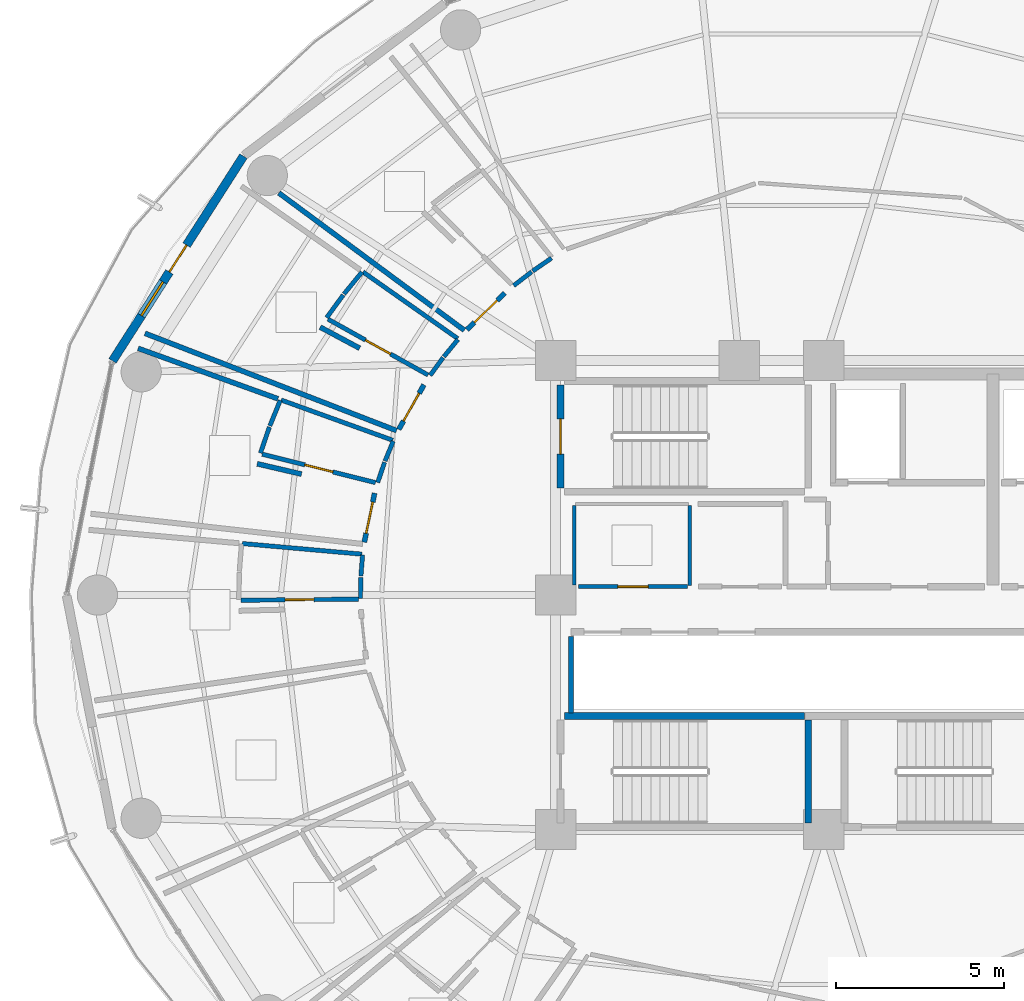
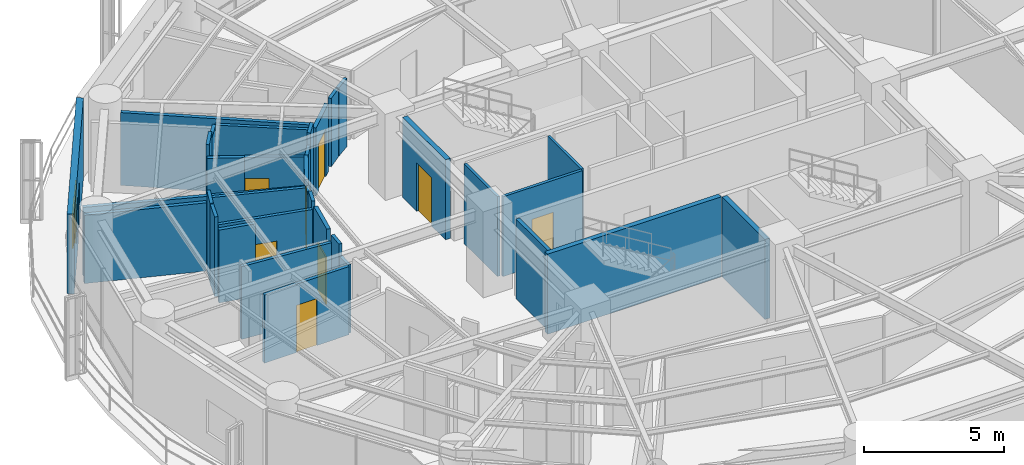
# One storey, part 22 of 28: 34 walls, 9 doors, 1 window, 10 openings.
"""IFC4 building model written with IfcOpenShell, lengths in metres."""

from ifc_helpers import new_model, si_unit, direction, frame, frame_2d, origin, place, context, subcontext, project, spatial, rectangle, extrude, material, layer, layer_set, type_object, element, fill, save


model = new_model("IFC4")

# Units and contexts
model_context = context("Model", 3, precision=1e-05, world=origin(), true_north=direction((0.0, 1.0)))
body_context = subcontext(model_context, "Body", "Model", "MODEL_VIEW")
ifc_project = project(units=[si_unit("LENGTHUNIT", "METRE"), si_unit("AREAUNIT", "SQUARE_METRE"), si_unit("VOLUMEUNIT", "CUBIC_METRE"), si_unit("PLANEANGLEUNIT", "RADIAN"), si_unit("MASSUNIT", "GRAM", prefix="KILO")], contexts=[model_context])

# Site, building, storey
site_placement = place(None, origin())
site = spatial("IfcSite", under=ifc_project, at=site_placement, CompositionType="ELEMENT")
building_placement = place(site_placement, origin())
building = spatial("IfcBuilding", under=site, at=building_placement, Name="Kelanora Arch Commons", CompositionType="ELEMENT")
storey_placement = place(building_placement, frame((0.0, 0.0, 176.85009765625)))
storey = spatial("IfcBuildingStorey", under=building, at=storey_placement, Name="L45", CompositionType="ELEMENT", Elevation=176.85009765625)

# Wall
ifc_material_1 = material(Name="Autoclaved aerated concrete blockwork with fire plaster", Category="masonry")
ifc_layer_1 = layer(ifc_material_1, 0.14990234375)
ifc_layer_set_1 = layer_set([ifc_layer_1], Name="Autoclaved aerated concrete blockwork with fire plaster")
wall_type_1 = type_object("IfcWallType", Name="W-COMP-150", PredefinedType="PARTITIONING", material=ifc_layer_set_1)
wall_1_placement = place(storey_placement, frame((66.4599609375, 54.47998046875, 0.0), z_axis=(0.0, 0.0, 1.0), x_axis=(0.0, 1.0, 0.0)))
element("IfcWall", 1, at=wall_1_placement, inside=storey, type_object=wall_type_1, Name="South Lift Bank West Wall L45", PredefinedType="PARTITIONING", context=body_context, shape_type="SweptSolid", body=[
    extrude(rectangle(XDim=2.2900390625, YDim=0.14990234375, at=frame_2d((1.14501953125, 0.0))), origin(), (0.0, 0.0, 1.0), 3.47998046875),
])

# Wall, opening, door
wall_2_placement = place(storey_placement, frame((64.481689453125, 67.013427734375, 0.0), z_axis=(0.0, 0.0, 1.0), x_axis=(-0.720543985977, -0.693409232901, 0.0)))
wall_2 = element("IfcWall", 2, at=wall_2_placement, inside=storey, type_object=wall_type_1, Name="Cluster Bedroom L45-01 Entry Partition", PredefinedType="PARTITIONING", context=body_context, shape_type="SweptSolid", body=[
    extrude(rectangle(XDim=1.574462890625, YDim=0.14990234375, at=frame_2d((0.787109375, 0.0))), origin(), (0.0, 0.0, 1.0), 2.974853515625),
])
opening_1_placement = place(wall_2_placement, frame((0.31201171875, 0.0, 0.0)))
opening_1 = element("IfcOpeningElement", 3, at=opening_1_placement, cuts=wall_2, Name="Opening D-CLU1", PredefinedType="OPENING", context=body_context, shape_type="SweptSolid", body=[
    extrude(rectangle(XDim=0.949951171875, YDim=2.080078125, at=frame_2d((0.47509765625, 1.0400390625))), frame((0.0, 0.0849609375, 0.0), z_axis=(0.0, -1.0, 0.0), x_axis=(1.0, 0.0, 0.0)), (0.0, 0.0, 1.0), 0.169921875),
])
ifc_material_2 = material(Name="Solid-core acoustic timber cluster entry fire door", Category="wood")
door_type_1 = type_object("IfcDoorType", Name="D-CLU-95", OperationType="NOTDEFINED", PredefinedType="DOOR", material=ifc_material_2)
door_1_placement = place(opening_1_placement, origin())
door_1 = element("IfcDoor", 4, at=door_1_placement, inside=storey, type_object=door_type_1, Name="Cluster Bedroom L45-01 Door", OperationType="SINGLE_SWING_LEFT", OverallHeight=2.080078125, OverallWidth=0.949951171875, PredefinedType="DOOR", context=body_context, shape_type="SweptSolid", body=[
    extrude(rectangle(XDim=0.949951171875, YDim=2.080078125, at=frame_2d((0.47509765625, 1.0400390625))), frame((0.0, 0.02490234375, 0.0), z_axis=(0.0, -1.0, 0.0), x_axis=(1.0, 0.0, 0.0)), (0.0, 0.0, 1.0), 0.050048828125),
])
fill(opening_1, door_1)

wall_3_placement = place(storey_placement, frame((62.06640625, 64.27490234375, 0.0), z_axis=(0.0, 0.0, 1.0), x_axis=(-0.491582624537, -0.870830938388, 0.0)))
wall_3 = element("IfcWall", 5, at=wall_3_placement, inside=storey, type_object=wall_type_1, Name="Cluster Bedroom L45-02 Entry Partition", PredefinedType="PARTITIONING", context=body_context, shape_type="SweptSolid", body=[
    extrude(rectangle(XDim=1.525634765625, YDim=0.14990234375, at=frame_2d((0.7626953125, 0.0))), origin(), (0.0, 0.0, 1.0), 3.23486328125),
])
opening_2_placement = place(wall_3_placement, frame((0.2880859375, 0.0, 0.0)))
opening_2 = element("IfcOpeningElement", 6, at=opening_2_placement, cuts=wall_3, Name="Opening D-CLU1", PredefinedType="OPENING", context=body_context, shape_type="SweptSolid", body=[
    extrude(rectangle(XDim=0.949951171875, YDim=2.080078125, at=frame_2d((0.47509765625, 1.0400390625))), frame((0.0, 0.0849609375, 0.0), z_axis=(0.0, -1.0, 0.0), x_axis=(1.0, 0.0, 0.0)), (0.0, 0.0, 1.0), 0.169921875),
])
door_2_placement = place(opening_2_placement, origin())
door_2 = element("IfcDoor", 7, at=door_2_placement, inside=storey, type_object=door_type_1, Name="Cluster Bedroom L45-02 Door", OperationType="SINGLE_SWING_LEFT", OverallHeight=2.080078125, OverallWidth=0.949951171875, PredefinedType="DOOR", context=body_context, shape_type="SweptSolid", body=[
    extrude(rectangle(XDim=0.949951171875, YDim=2.080078125, at=frame_2d((0.47509765625, 1.0400390625))), frame((0.0, 0.02490234375, 0.0), z_axis=(0.0, -1.0, 0.0), x_axis=(1.0, 0.0, 0.0)), (0.0, 0.0, 1.0), 0.050048828125),
])
fill(opening_2, door_2)

wall_4_placement = place(storey_placement, frame((60.594482421875, 61.041259765625, 0.0), z_axis=(0.0, 0.0, 1.0), x_axis=(-0.206257580925, -0.978497731378, 0.0)))
wall_4 = element("IfcWall", 8, at=wall_4_placement, inside=storey, type_object=wall_type_1, Name="Cluster Bedroom L45-03 Entry Partition", PredefinedType="PARTITIONING", context=body_context, shape_type="SweptSolid", body=[
    extrude(rectangle(XDim=1.493896484375, YDim=0.14990234375, at=frame_2d((0.7470703125, 0.0))), origin(), (0.0, 0.0, 1.0), 3.47998046875),
])
opening_3_placement = place(wall_4_placement, frame((0.27197265625, 0.0, 0.0)))
opening_3 = element("IfcOpeningElement", 9, at=opening_3_placement, cuts=wall_4, Name="Opening D-CLU1", PredefinedType="OPENING", context=body_context, shape_type="SweptSolid", body=[
    extrude(rectangle(XDim=0.949951171875, YDim=2.080078125, at=frame_2d((0.47509765625, 1.0400390625))), frame((0.0, 0.0849609375, 0.0), z_axis=(0.0, -1.0, 0.0), x_axis=(1.0, 0.0, 0.0)), (0.0, 0.0, 1.0), 0.169921875),
])
door_3_placement = place(opening_3_placement, origin())
door_3 = element("IfcDoor", 10, at=door_3_placement, inside=storey, type_object=door_type_1, Name="Cluster Bedroom L45-03 Door", OperationType="SINGLE_SWING_LEFT", OverallHeight=2.080078125, OverallWidth=0.949951171875, PredefinedType="DOOR", context=body_context, shape_type="SweptSolid", body=[
    extrude(rectangle(XDim=0.949951171875, YDim=2.080078125, at=frame_2d((0.47509765625, 1.0400390625))), frame((0.0, 0.02490234375, 0.0), z_axis=(0.0, -1.0, 0.0), x_axis=(1.0, 0.0, 0.0)), (0.0, 0.0, 1.0), 0.050048828125),
])
fill(opening_3, door_3)

# Walls
wall_5_placement = place(storey_placement, frame((63.27197265625, 65.90380859375, 0.0), z_axis=(0.0, 0.0, 1.0), x_axis=(-0.803728632682, 0.594996037808, 0.0)))
element("IfcWall", 11, at=wall_5_placement, inside=storey, type_object=wall_type_1, Name="Cluster Bedroom L45-01 Enclosure Partition 2", PredefinedType="PARTITIONING", context=body_context, shape_type="SweptSolid", body=[
    extrude(rectangle(XDim=6.8857421875, YDim=0.14990234375, at=frame_2d((3.44287109375, 0.0))), origin(), (0.0, 0.0, 1.0), 3.1748046875),
])
wall_6_placement = place(storey_placement, frame((61.249755859375, 62.908447265625, 0.0), z_axis=(0.0, 0.0, 1.0), x_axis=(-0.932687580633, 0.360685287936, 0.0)))
element("IfcWall", 12, at=wall_6_placement, inside=storey, type_object=wall_type_1, Name="Cluster Bedroom L45-02 Enclosure Partition 2", PredefinedType="PARTITIONING", context=body_context, shape_type="SweptSolid", body=[
    extrude(rectangle(XDim=8.051513671875, YDim=0.14990234375, at=frame_2d((4.02587890625, 0.0))), origin(), (0.0, 0.0, 1.0), 2.974853515625),
])
wall_7_placement = place(storey_placement, frame((58.97119140625, 65.99609375, 0.0), z_axis=(0.0, 0.0, 1.0), x_axis=(0.882039066957, -0.471176277376, 0.0)))
element("IfcWall", 13, at=wall_7_placement, inside=storey, type_object=wall_type_1, Name="Cluster Bedroom L45-02 Enclosure Partition 7", PredefinedType="PARTITIONING", context=body_context, shape_type="SweptSolid", body=[
    extrude(rectangle(XDim=1.335693359375, YDim=0.14990234375, at=frame_2d((0.66796875, 0.0))), origin(), (0.0, 0.0, 1.0), 3.1748046875),
])
wall_8_placement = place(storey_placement, frame((53.53466796875, 65.364501953125, 0.0), z_axis=(0.0, 0.0, 1.0), x_axis=(0.940657292565, -0.339358008517, 0.0)))
element("IfcWall", 14, at=wall_8_placement, inside=storey, type_object=wall_type_1, Name="Cluster Bedroom L45-03 Enclosure Partition 5", PredefinedType="PARTITIONING", context=body_context, shape_type="SweptSolid", body=[
    extrude(rectangle(XDim=4.440185546875, YDim=0.14990234375, at=frame_2d((2.22021484375, 0.0))), origin(), (0.0, 0.0, 1.0), 2.974853515625),
])
wall_9_placement = place(storey_placement, frame((57.091064453125, 61.91796875, 0.0), z_axis=(0.0, 0.0, 1.0), x_axis=(0.973980333704, -0.226632543023, 0.0)))
element("IfcWall", 15, at=wall_9_placement, inside=storey, type_object=wall_type_1, Name="Cluster Bedroom L45-03 Enclosure Partition 7", PredefinedType="PARTITIONING", context=body_context, shape_type="SweptSolid", body=[
    extrude(rectangle(XDim=1.357421875, YDim=0.14990234375, at=frame_2d((0.6787109375, 0.0))), origin(), (0.0, 0.0, 1.0), 3.1748046875),
])

# Wall, openings, door, window
ifc_material_3 = material(Name="Precast concrete C40/50 with terracotta rainscreen", Category="masonry")
ifc_layer_2 = layer(ifc_material_3, 0.260009765625)
ifc_layer_set_2 = layer_set([ifc_layer_2], Name="Precast concrete C40/50 with terracotta rainscreen")
wall_type_2 = type_object("IfcWallType", Name="W-EXT-TC", PredefinedType="SOLIDWALL", material=ifc_layer_set_2)
wall_10_placement = place(storey_placement, frame((56.67919921875, 71.100341796875, 0.0), z_axis=(0.0, 0.0, 1.0), x_axis=(-0.538801521808, -0.842432739213, 0.0)))
wall_10 = element("IfcWall", 16, at=wall_10_placement, inside=storey, type_object=wall_type_2, Name="Terracotta Exterior Wall L45-B07", PredefinedType="SOLIDWALL", context=body_context, shape_type="SweptSolid", body=[
    extrude(rectangle(XDim=7.25341796875, YDim=0.260009765625, at=frame_2d((3.626708984375, 0.0))), origin(), (0.0, 0.0, 1.0), 3.474853515625),
])
opening_4_placement = place(wall_10_placement, frame((3.152099609375, 0.0, 0.0)))
opening_4 = element("IfcOpeningElement", 17, at=opening_4_placement, cuts=wall_10, Name="Opening DB-01", PredefinedType="OPENING", context=body_context, shape_type="SweptSolid", body=[
    extrude(rectangle(XDim=0.949951171875, YDim=2.10009765625, at=frame_2d((0.47509765625, 1.050048828125))), frame((0.0, 0.14013671875, 0.0), z_axis=(0.0, -1.0, 0.0), x_axis=(1.0, 0.0, 0.0)), (0.0, 0.0, 1.0), 0.280029296875),
])
opening_5_placement = place(wall_10_placement, frame((4.451904296875, 0.0, 0.85009765625)))
opening_5 = element("IfcOpeningElement", 18, at=opening_5_placement, cuts=wall_10, Name="Opening WN-02", PredefinedType="OPENING", context=body_context, shape_type="SweptSolid", body=[
    extrude(rectangle(XDim=1.199951171875, YDim=1.449951171875, at=frame_2d((0.60009765625, 0.72509765625))), frame((0.0, 0.14013671875, 0.0), z_axis=(0.0, -1.0, 0.0), x_axis=(1.0, 0.0, 0.0)), (0.0, 0.0, 1.0), 0.280029296875),
])
ifc_material_4 = material(Name="Terracotta-aluminium thermally broken glazed balcony door", Category="masonry")
door_type_2 = type_object("IfcDoorType", Name="D-BAL-10", OperationType="NOTDEFINED", PredefinedType="DOOR", material=ifc_material_4)
door_4_placement = place(opening_4_placement, frame((0.949951171875, 0.0, 0.0), z_axis=(0.0, 0.0, 1.0), x_axis=(-1.0, 0.0, 0.0)))
door_4 = element("IfcDoor", 19, at=door_4_placement, inside=storey, type_object=door_type_2, Name="Wave Balcony Door L45-B07", OperationType="SINGLE_SWING_LEFT", OverallHeight=2.10009765625, OverallWidth=0.949951171875, PredefinedType="DOOR", context=body_context, shape_type="SweptSolid", body=[
    extrude(rectangle(XDim=0.949951171875, YDim=2.10009765625, at=frame_2d((0.47509765625, 1.050048828125))), frame((0.0, 0.02490234375, 0.0), z_axis=(0.0, -1.0, 0.0), x_axis=(1.0, 0.0, 0.0)), (0.0, 0.0, 1.0), 0.050048828125),
])
fill(opening_4, door_4)
ifc_material_5 = material(Name="Terracotta-anodised aluminium frame with operable awning sash", Category="masonry")
window_type = type_object("IfcWindowType", Name="WIN-CL-12", PartitioningType="SINGLE_PANEL", PredefinedType="WINDOW", material=ifc_material_5)
window_placement = place(opening_5_placement, origin())
window = element("IfcWindow", 20, at=window_placement, inside=storey, type_object=window_type, Name="Co-Living Operable Window L45-B07", OverallHeight=1.449951171875, OverallWidth=1.199951171875, PartitioningType="SINGLE_PANEL", PredefinedType="WINDOW", context=body_context, shape_type="SweptSolid", body=[
    extrude(rectangle(XDim=1.199951171875, YDim=1.449951171875, at=frame_2d((0.60009765625, 0.72509765625))), frame((0.0, 0.030029296875, 0.0), z_axis=(0.0, -1.0, 0.0), x_axis=(1.0, 0.0, 0.0)), (0.0, 0.0, 1.0), 0.06005859375),
])
fill(opening_5, window)

# Walls
ifc_material_6 = material(Name="Lightweight fire-rated acoustic stud partition")
ifc_layer_3 = layer(ifc_material_6, 0.10009765625)
ifc_layer_set_3 = layer_set([ifc_layer_3], Name="Lightweight fire-rated acoustic stud partition")
wall_type_3 = type_object("IfcWallType", Name="W-PART-100", PredefinedType="PARTITIONING", material=ifc_layer_set_3)
wall_11_placement = place(storey_placement, frame((70.0, 58.2900390625, 0.0), z_axis=(0.0, 0.0, 1.0), x_axis=(0.0, 1.0, 0.0)))
element("IfcWall", 21, at=wall_11_placement, inside=storey, type_object=wall_type_3, Name="Reclaimed Core Quiet Phone Booths L45 Enclosure Partition 2", PredefinedType="PARTITIONING", context=body_context, shape_type="SweptSolid", body=[
    extrude(rectangle(XDim=2.389892578125, YDim=0.10009765625, at=frame_2d((1.19482421875, 0.0))), origin(), (0.0, 0.0, 1.0), 3.47998046875),
])
wall_12_placement = place(storey_placement, frame((66.550048828125, 60.679931640625, 0.0), z_axis=(0.0, 0.0, 1.0), x_axis=(0.0, -1.0, 0.0)))
element("IfcWall", 22, at=wall_12_placement, inside=storey, type_object=wall_type_3, Name="Reclaimed Core Quiet Phone Booths L45 Enclosure Partition 4", PredefinedType="PARTITIONING", context=body_context, shape_type="SweptSolid", body=[
    extrude(rectangle(XDim=2.383056640625, YDim=0.10009765625, at=frame_2d((1.19140625, 0.0))), origin(), (0.0, 0.0, 1.0), 3.47998046875),
])

# Wall, opening, door
ifc_material_7 = material(Name="Acoustic twin-stud fire-rated gypsum partition")
ifc_layer_4 = layer(ifc_material_7, 0.1201171875)
ifc_layer_set_4 = layer_set([ifc_layer_4], Name="Acoustic twin-stud fire-rated gypsum partition")
wall_type_4 = type_object("IfcWallType", Name="W-PART-120", PredefinedType="PARTITIONING", material=ifc_layer_set_4)
wall_13_placement = place(storey_placement, frame((66.67529296875, 58.25, 0.0), z_axis=(0.0, 0.0, 1.0), x_axis=(1.0, 0.0, 0.0)))
wall_13 = element("IfcWall", 23, at=wall_13_placement, inside=storey, type_object=wall_type_4, Name="Reclaimed Core Quiet Phone Booths L45 Entry Partition", PredefinedType="PARTITIONING", context=body_context, shape_type="SweptSolid", body=[
    extrude(rectangle(XDim=3.2646484375, YDim=0.1201171875, at=frame_2d((1.63232421875, 0.0))), origin(), (0.0, 0.0, 1.0), 3.47998046875),
])
opening_6_placement = place(wall_13_placement, frame((1.181884765625, 0.0, 0.0)))
opening_6 = element("IfcOpeningElement", 24, at=opening_6_placement, cuts=wall_13, Name="Opening D-RM1", PredefinedType="OPENING", context=body_context, shape_type="SweptSolid", body=[
    extrude(rectangle(XDim=0.89990234375, YDim=2.080078125, at=frame_2d((0.449951171875, 1.0400390625))), frame((0.0, 0.070068359375, 0.0), z_axis=(0.0, -1.0, 0.0), x_axis=(1.0, 0.0, 0.0)), (0.0, 0.0, 1.0), 0.14013671875),
])
ifc_material_8 = material(Name="Acoustic fire-rated timber study and lounge door", Category="wood")
door_type_3 = type_object("IfcDoorType", Name="D-ROOM-90", OperationType="NOTDEFINED", PredefinedType="DOOR", material=ifc_material_8)
door_5_placement = place(opening_6_placement, origin())
door_5 = element("IfcDoor", 25, at=door_5_placement, inside=storey, type_object=door_type_3, Name="Reclaimed Core Quiet Phone Booths L45 Door", OperationType="SINGLE_SWING_RIGHT", OverallHeight=2.080078125, OverallWidth=0.89990234375, PredefinedType="DOOR", context=body_context, shape_type="SweptSolid", body=[
    extrude(rectangle(XDim=0.89990234375, YDim=2.080078125, at=frame_2d((0.449951171875, 1.0400390625))), frame((0.0, 0.02490234375, 0.0), z_axis=(0.0, -1.0, 0.0), x_axis=(1.0, 0.0, 0.0)), (0.0, 0.0, 1.0), 0.050048828125),
])
fill(opening_6, door_5)

ifc_material_9 = material(Name="Concrete C40/50", Category="concrete")
ifc_layer_5 = layer(ifc_material_9, 0.199951171875)
ifc_layer_set_5 = layer_set([ifc_layer_5], Name="Concrete C40/50")
wall_type_5 = type_object("IfcWallType", Name="W-STAIR-200", PredefinedType="SHEAR", material=ifc_layer_set_5)
wall_14_placement = place(storey_placement, frame((66.139892578125, 64.27001953125, 0.0), z_axis=(0.0, 0.0, 1.0), x_axis=(0.0, -1.0, 0.0)))
wall_14 = element("IfcWall", 26, at=wall_14_placement, inside=storey, type_object=wall_type_5, Name="Stair ST-T1 Shaft Wall W L45", PredefinedType="SHEAR", context=body_context, shape_type="SweptSolid", body=[
    extrude(rectangle(XDim=3.070068359375, YDim=0.199951171875, at=frame_2d((1.53515625, 0.0))), origin(), (0.0, 0.0, 1.0), 3.489990234375),
])
opening_7_placement = place(wall_14_placement, frame((1.010009765625, 0.0, 0.0)))
opening_7 = element("IfcOpeningElement", 27, at=opening_7_placement, cuts=wall_14, Name="Opening D-ST1", PredefinedType="OPENING", context=body_context, shape_type="SweptSolid", body=[
    extrude(rectangle(XDim=1.050048828125, YDim=2.10009765625, at=frame_2d((0.52490234375, 1.050048828125))), frame((0.0, 0.10986328125, 0.0), z_axis=(0.0, -1.0, 0.0), x_axis=(1.0, 0.0, 0.0)), (0.0, 0.0, 1.0), 0.219970703125),
])
ifc_material_10 = material(Name="Steel fire-rated stairwell escape door", Category="steel")
door_type_4 = type_object("IfcDoorType", Name="D-STAIR-110", OperationType="NOTDEFINED", PredefinedType="DOOR", material=ifc_material_10)
door_6_placement = place(opening_7_placement, origin())
door_6 = element("IfcDoor", 28, at=door_6_placement, inside=storey, type_object=door_type_4, Name="Stair ST-T1 Escape Door L45", OperationType="SINGLE_SWING_LEFT", OverallHeight=2.10009765625, OverallWidth=1.050048828125, PredefinedType="DOOR", context=body_context, shape_type="SweptSolid", body=[
    extrude(rectangle(XDim=1.050048828125, YDim=2.10009765625, at=frame_2d((0.52490234375, 1.050048828125))), frame((0.0, 0.02490234375, 0.0), z_axis=(0.0, -1.0, 0.0), x_axis=(1.0, 0.0, 0.0)), (0.0, 0.0, 1.0), 0.050048828125),
])
fill(opening_7, door_6)

# Walls
wall_15_placement = place(storey_placement, frame((73.5400390625, 51.199951171875, 0.0), z_axis=(0.0, 0.0, 1.0), x_axis=(0.0, 1.0, 0.0)))
element("IfcWall", 29, at=wall_15_placement, inside=storey, type_object=wall_type_5, Name="Stair ST-T3 Shaft Wall E L45", PredefinedType="SHEAR", context=body_context, shape_type="SweptSolid", body=[
    extrude(rectangle(XDim=3.070068359375, YDim=0.199951171875, at=frame_2d((1.53515625, 0.0))), origin(), (0.0, 0.0, 1.0), 3.489990234375),
])
wall_16_placement = place(storey_placement, frame((73.419921875, 54.389892578125, 0.0), z_axis=(0.0, 0.0, 1.0), x_axis=(-1.0, 0.0, 0.0)))
element("IfcWall", 30, at=wall_16_placement, inside=storey, type_object=wall_type_5, Name="Stair ST-T3 Shaft Wall N L45", PredefinedType="SHEAR", context=body_context, shape_type="SweptSolid", body=[
    extrude(rectangle(XDim=7.159912109375, YDim=0.199951171875, at=frame_2d((3.580078125, 0.0))), origin(), (0.0, 0.0, 1.0), 3.489990234375),
])

# Wall, opening, door
ifc_material_11 = material(Name="Moisture-resistant fire-rated cement-board plumbing wall")
ifc_layer_6 = layer(ifc_material_11, 0.1298828125)
ifc_layer_set_6 = layer_set([ifc_layer_6], Name="Moisture-resistant fire-rated cement-board plumbing wall")
wall_type_6 = type_object("IfcWallType", Name="W-WET-120", PredefinedType="PLUMBINGWALL", material=ifc_layer_set_6)
wall_17_placement = place(storey_placement, frame((62.1875, 64.5703125, 0.0), z_axis=(0.0, 0.0, 1.0), x_axis=(-0.873255694646, 0.487262241271, 0.0)))
wall_17 = element("IfcWall", 31, at=wall_17_placement, inside=storey, type_object=wall_type_6, Name="En-Suite Shower WC L45-02 Entry Partition", PredefinedType="PLUMBINGWALL", context=body_context, shape_type="SweptSolid", body=[
    extrude(rectangle(XDim=3.416015625, YDim=0.1298828125, at=frame_2d((1.7080078125, 0.0))), origin(), (0.0, 0.0, 1.0), 2.974853515625),
])
opening_8_placement = place(wall_17_placement, frame((1.278076171875, 0.0, 0.0)))
opening_8 = element("IfcOpeningElement", 32, at=opening_8_placement, cuts=wall_17, Name="Opening D-BT1", PredefinedType="OPENING", context=body_context, shape_type="SweptSolid", body=[
    extrude(rectangle(XDim=0.860107421875, YDim=2.050048828125, at=frame_2d((0.43017578125, 1.02490234375))), frame((0.0, 0.074951171875, 0.0), z_axis=(0.0, -1.0, 0.0), x_axis=(1.0, 0.0, 0.0)), (0.0, 0.0, 1.0), 0.14990234375),
])
ifc_material_12 = material(Name="Moisture-sealed fire-rated accessible bathroom door")
door_type_5 = type_object("IfcDoorType", Name="D-BATH-85", OperationType="NOTDEFINED", PredefinedType="DOOR", material=ifc_material_12)
door_7_placement = place(opening_8_placement, origin())
door_7 = element("IfcDoor", 33, at=door_7_placement, inside=storey, type_object=door_type_5, Name="En-Suite Shower WC L45-02 Door", OperationType="SINGLE_SWING_RIGHT", OverallHeight=2.050048828125, OverallWidth=0.860107421875, PredefinedType="DOOR", context=body_context, shape_type="SweptSolid", body=[
    extrude(rectangle(XDim=0.860107421875, YDim=2.050048828125, at=frame_2d((0.43017578125, 1.02490234375))), frame((0.0, 0.02490234375, 0.0), z_axis=(0.0, -1.0, 0.0), x_axis=(1.0, 0.0, 0.0)), (0.0, 0.0, 1.0), 0.050048828125),
])
fill(opening_8, door_7)

wall_18_placement = place(storey_placement, frame((60.620849609375, 61.355712890625, 0.0), z_axis=(0.0, 0.0, 1.0), x_axis=(-0.969774737706, 0.244001963326, 0.0)))
wall_18 = element("IfcWall", 34, at=wall_18_placement, inside=storey, type_object=wall_type_6, Name="En-Suite Shower WC L45-03 Entry Partition", PredefinedType="PLUMBINGWALL", context=body_context, shape_type="SweptSolid", body=[
    extrude(rectangle(XDim=3.486083984375, YDim=0.1298828125, at=frame_2d((1.7431640625, 0.0))), origin(), (0.0, 0.0, 1.0), 3.1748046875),
])
opening_9_placement = place(wall_18_placement, frame((1.31298828125, 0.0, 0.0)))
opening_9 = element("IfcOpeningElement", 35, at=opening_9_placement, cuts=wall_18, Name="Opening D-BT1", PredefinedType="OPENING", context=body_context, shape_type="SweptSolid", body=[
    extrude(rectangle(XDim=0.860107421875, YDim=2.050048828125, at=frame_2d((0.43017578125, 1.02490234375))), frame((0.0, 0.074951171875, 0.0), z_axis=(0.0, -1.0, 0.0), x_axis=(1.0, 0.0, 0.0)), (0.0, 0.0, 1.0), 0.14990234375),
])
door_8_placement = place(opening_9_placement, origin())
door_8 = element("IfcDoor", 36, at=door_8_placement, inside=storey, type_object=door_type_5, Name="En-Suite Shower WC L45-03 Door", OperationType="SINGLE_SWING_RIGHT", OverallHeight=2.050048828125, OverallWidth=0.860107421875, PredefinedType="DOOR", context=body_context, shape_type="SweptSolid", body=[
    extrude(rectangle(XDim=0.860107421875, YDim=2.050048828125, at=frame_2d((0.43017578125, 1.02490234375))), frame((0.0, 0.02490234375, 0.0), z_axis=(0.0, -1.0, 0.0), x_axis=(1.0, 0.0, 0.0)), (0.0, 0.0, 1.0), 0.050048828125),
])
fill(opening_9, door_8)

wall_19_placement = place(storey_placement, frame((60.111083984375, 57.87744140625, 0.0), z_axis=(0.0, 0.0, 1.0), x_axis=(-0.999958513443, -0.009108863449, 0.0)))
wall_19 = element("IfcWall", 37, at=wall_19_placement, inside=storey, type_object=wall_type_6, Name="En-Suite Shower WC L45-04 Entry Partition", PredefinedType="PLUMBINGWALL", context=body_context, shape_type="SweptSolid", body=[
    extrude(rectangle(XDim=3.51123046875, YDim=0.1298828125, at=frame_2d((1.755615234375, 0.0))), origin(), (0.0, 0.0, 1.0), 2.974853515625),
])
opening_10_placement = place(wall_19_placement, frame((1.325927734375, 0.0, 0.0)))
opening_10 = element("IfcOpeningElement", 38, at=opening_10_placement, cuts=wall_19, Name="Opening D-BT1", PredefinedType="OPENING", context=body_context, shape_type="SweptSolid", body=[
    extrude(rectangle(XDim=0.860107421875, YDim=2.050048828125, at=frame_2d((0.43017578125, 1.02490234375))), frame((0.0, 0.074951171875, 0.0), z_axis=(0.0, -1.0, 0.0), x_axis=(1.0, 0.0, 0.0)), (0.0, 0.0, 1.0), 0.14990234375),
])
door_9_placement = place(opening_10_placement, origin())
door_9 = element("IfcDoor", 39, at=door_9_placement, inside=storey, type_object=door_type_5, Name="En-Suite Shower WC L45-04 Door", OperationType="SINGLE_SWING_RIGHT", OverallHeight=2.050048828125, OverallWidth=0.860107421875, PredefinedType="DOOR", context=body_context, shape_type="SweptSolid", body=[
    extrude(rectangle(XDim=0.860107421875, YDim=2.050048828125, at=frame_2d((0.43017578125, 1.02490234375))), frame((0.0, 0.02490234375, 0.0), z_axis=(0.0, -1.0, 0.0), x_axis=(1.0, 0.0, 0.0)), (0.0, 0.0, 1.0), 0.050048828125),
])
fill(opening_10, door_9)

# Walls
wall_20_placement = place(storey_placement, frame((65.87353515625, 68.0576171875, 0.0), z_axis=(0.0, 0.0, 1.0), x_axis=(-0.823224352539, -0.567716183834, 0.0)))
element("IfcWall", 40, at=wall_20_placement, inside=storey, type_object=wall_type_6, Name="En-Suite Shower WC L45-01 Enclosure Partition 1", PredefinedType="PLUMBINGWALL", context=body_context, shape_type="SweptSolid", body=[
    extrude(rectangle(XDim=0.680419921875, YDim=0.1298828125, at=frame_2d((0.34033203125, 0.0))), origin(), (0.0, 0.0, 1.0), 2.974853515625),
])
wall_21_placement = place(storey_placement, frame((65.281005859375, 67.647705078125, 0.0), z_axis=(0.0, 0.0, 1.0), x_axis=(-0.793187600036, -0.608977365055, 0.0)))
element("IfcWall", 41, at=wall_21_placement, inside=storey, type_object=wall_type_6, Name="En-Suite Shower WC L45-01 Enclosure Partition 2", PredefinedType="PLUMBINGWALL", context=body_context, shape_type="SweptSolid", body=[
    extrude(rectangle(XDim=0.676025390625, YDim=0.1298828125, at=frame_2d((0.337890625, 0.0))), origin(), (0.0, 0.0, 1.0), 2.974853515625),
])
wall_22_placement = place(storey_placement, frame((63.080322265625, 65.62744140625, 0.0), z_axis=(0.0, 0.0, 1.0), x_axis=(-0.633641038052, -0.773627193741, 0.0)))
element("IfcWall", 42, at=wall_22_placement, inside=storey, type_object=wall_type_6, Name="En-Suite Shower WC L45-02 Enclosure Partition 1", PredefinedType="PLUMBINGWALL", context=body_context, shape_type="SweptSolid", body=[
    extrude(rectangle(XDim=0.6591796875, YDim=0.1298828125, at=frame_2d((0.32958984375, 0.0))), origin(), (0.0, 0.0, 1.0), 3.47998046875),
])
wall_23_placement = place(storey_placement, frame((62.63818359375, 65.0859375, 0.0), z_axis=(0.0, 0.0, 1.0), x_axis=(-0.590053970957, -0.807363803596, 0.0)))
element("IfcWall", 43, at=wall_23_placement, inside=storey, type_object=wall_type_6, Name="En-Suite Shower WC L45-02 Enclosure Partition 2", PredefinedType="PLUMBINGWALL", context=body_context, shape_type="SweptSolid", body=[
    extrude(rectangle(XDim=0.655029296875, YDim=0.1298828125, at=frame_2d((0.32763671875, 0.0))), origin(), (0.0, 0.0, 1.0), 2.974853515625),
])
wall_24_placement = place(storey_placement, frame((59.163818359375, 66.280029296875, 0.0), z_axis=(0.0, 0.0, 1.0), x_axis=(0.589885116714, 0.807487181991, 0.0)))
element("IfcWall", 44, at=wall_24_placement, inside=storey, type_object=wall_type_6, Name="En-Suite Shower WC L45-02 Enclosure Partition 4", PredefinedType="PLUMBINGWALL", context=body_context, shape_type="SweptSolid", body=[
    extrude(rectangle(XDim=0.838134765625, YDim=0.1298828125, at=frame_2d((0.4189453125, 0.0))), origin(), (0.0, 0.0, 1.0), 3.47998046875),
])
wall_25_placement = place(storey_placement, frame((59.6826171875, 66.988525390625, 0.0), z_axis=(0.0, 0.0, 1.0), x_axis=(0.633474035481, 0.773763947449, 0.0)))
element("IfcWall", 45, at=wall_25_placement, inside=storey, type_object=wall_type_6, Name="En-Suite Shower WC L45-02 Enclosure Partition 5", PredefinedType="PLUMBINGWALL", context=body_context, shape_type="SweptSolid", body=[
    extrude(rectangle(XDim=0.843994140625, YDim=0.1298828125, at=frame_2d((0.421875, 0.0))), origin(), (0.0, 0.0, 1.0), 3.1748046875),
])
wall_26_placement = place(storey_placement, frame((60.246337890625, 67.6455078125, 0.0), z_axis=(0.0, 0.0, 1.0), x_axis=(0.817907250539, -0.575350093, 0.0)))
element("IfcWall", 46, at=wall_26_placement, inside=storey, type_object=wall_type_6, Name="En-Suite Shower WC L45-02 Enclosure Partition 6", PredefinedType="PLUMBINGWALL", context=body_context, shape_type="SweptSolid", body=[
    extrude(rectangle(XDim=3.46044921875, YDim=0.1298828125, at=frame_2d((1.730224609375, 0.0))), origin(), (0.0, 0.0, 1.0), 3.1748046875),
])
wall_27_placement = place(storey_placement, frame((61.150390625, 62.594482421875, 0.0), z_axis=(0.0, 0.0, 1.0), x_axis=(-0.38036677213, -0.924835725229, 0.0)))
element("IfcWall", 47, at=wall_27_placement, inside=storey, type_object=wall_type_6, Name="En-Suite Shower WC L45-03 Enclosure Partition 1", PredefinedType="PLUMBINGWALL", context=body_context, shape_type="SweptSolid", body=[
    extrude(rectangle(XDim=0.64111328125, YDim=0.1298828125, at=frame_2d((0.320556640625, 0.0))), origin(), (0.0, 0.0, 1.0), 3.23486328125),
])
wall_28_placement = place(storey_placement, frame((60.892578125, 61.964111328125, 0.0), z_axis=(0.0, 0.0, 1.0), x_axis=(-0.324128876048, -0.94601293422, 0.0)))
element("IfcWall", 48, at=wall_28_placement, inside=storey, type_object=wall_type_6, Name="En-Suite Shower WC L45-03 Enclosure Partition 2", PredefinedType="PLUMBINGWALL", context=body_context, shape_type="SweptSolid", body=[
    extrude(rectangle(XDim=0.638671875, YDim=0.1298828125, at=frame_2d((0.3193359375, 0.0))), origin(), (0.0, 0.0, 1.0), 3.47998046875),
])
wall_29_placement = place(storey_placement, frame((57.1884765625, 62.239990234375, 0.0), z_axis=(0.0, 0.0, 1.0), x_axis=(0.324370140969, 0.945930236142, 0.0)))
element("IfcWall", 49, at=wall_29_placement, inside=storey, type_object=wall_type_6, Name="En-Suite Shower WC L45-03 Enclosure Partition 4", PredefinedType="PLUMBINGWALL", context=body_context, shape_type="SweptSolid", body=[
    extrude(rectangle(XDim=0.8173828125, YDim=0.1298828125, at=frame_2d((0.40869140625, 0.0))), origin(), (0.0, 0.0, 1.0), 3.47998046875),
])
wall_30_placement = place(storey_placement, frame((57.467529296875, 63.050537109375, 0.0), z_axis=(0.0, 0.0, 1.0), x_axis=(0.378505488692, 0.92559904658, 0.0)))
element("IfcWall", 50, at=wall_30_placement, inside=storey, type_object=wall_type_6, Name="En-Suite Shower WC L45-03 Enclosure Partition 5", PredefinedType="PLUMBINGWALL", context=body_context, shape_type="SweptSolid", body=[
    extrude(rectangle(XDim=0.821044921875, YDim=0.1298828125, at=frame_2d((0.41064453125, 0.0))), origin(), (0.0, 0.0, 1.0), 3.47998046875),
])
wall_31_placement = place(storey_placement, frame((57.8046875, 63.822265625, 0.0), z_axis=(0.0, 0.0, 1.0), x_axis=(0.940709042882, -0.339214528935, 0.0)))
element("IfcWall", 51, at=wall_31_placement, inside=storey, type_object=wall_type_6, Name="En-Suite Shower WC L45-03 Enclosure Partition 6", PredefinedType="PLUMBINGWALL", context=body_context, shape_type="SweptSolid", body=[
    extrude(rectangle(XDim=3.544677734375, YDim=0.1298828125, at=frame_2d((1.7724609375, 0.0))), origin(), (0.0, 0.0, 1.0), 3.1748046875),
])
wall_32_placement = place(storey_placement, frame((60.2353515625, 59.19921875, 0.0), z_axis=(0.0, 0.0, 1.0), x_axis=(-0.078763069799, -0.996893363824, 0.0)))
element("IfcWall", 52, at=wall_32_placement, inside=storey, type_object=wall_type_6, Name="En-Suite Shower WC L45-04 Enclosure Partition 1", PredefinedType="PLUMBINGWALL", context=body_context, shape_type="SweptSolid", body=[
    extrude(rectangle(XDim=0.63232421875, YDim=0.1298828125, at=frame_2d((0.316162109375, 0.0))), origin(), (0.0, 0.0, 1.0), 3.47998046875),
])
wall_33_placement = place(storey_placement, frame((60.18359375, 58.529052734375, 0.0), z_axis=(0.0, 0.0, 1.0), x_axis=(-0.019338742534, -0.999812989032, 0.0)))
element("IfcWall", 53, at=wall_33_placement, inside=storey, type_object=wall_type_6, Name="En-Suite Shower WC L45-04 Enclosure Partition 2", PredefinedType="PLUMBINGWALL", context=body_context, shape_type="SweptSolid", body=[
    extrude(rectangle(XDim=0.631103515625, YDim=0.1298828125, at=frame_2d((0.3154296875, 0.0))), origin(), (0.0, 0.0, 1.0), 2.974853515625),
])
wall_34_placement = place(storey_placement, frame((56.642822265625, 59.5380859375, 0.0), z_axis=(0.0, 0.0, 1.0), x_axis=(0.99608063721, -0.088449783359, 0.0)))
element("IfcWall", 54, at=wall_34_placement, inside=storey, type_object=wall_type_6, Name="En-Suite Shower WC L45-04 Enclosure Partition 6", PredefinedType="PLUMBINGWALL", context=body_context, shape_type="SweptSolid", body=[
    extrude(rectangle(XDim=3.58837890625, YDim=0.1298828125, at=frame_2d((1.794189453125, 0.0))), origin(), (0.0, 0.0, 1.0), 3.1748046875),
])

save(model, "model.ifc")
